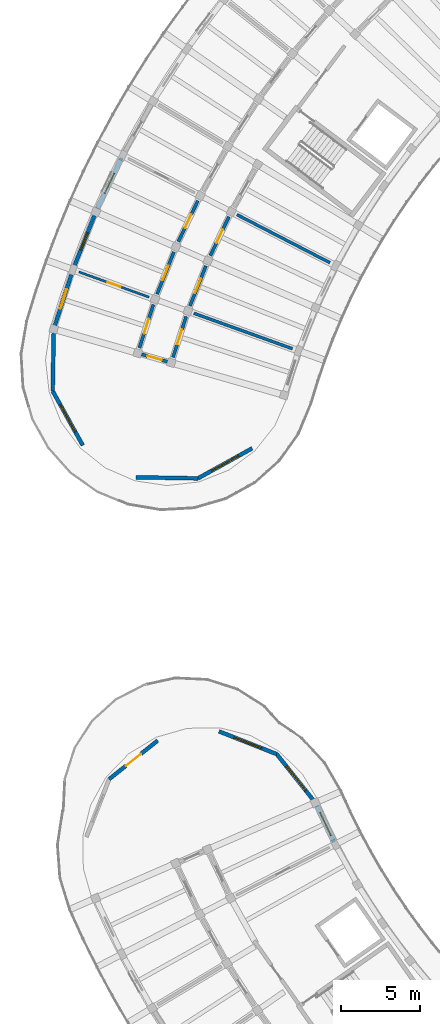
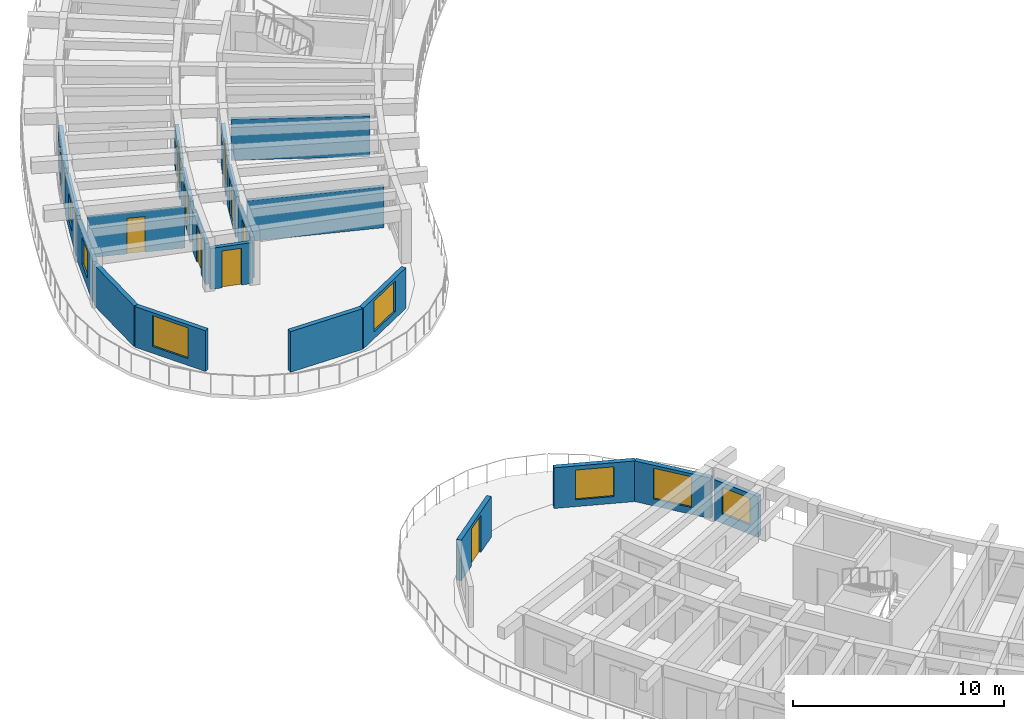
# One storey, part 25 of 56: 21 walls, 9 doors, 8 windows, 17 openings.
"""IFC4 building model written with IfcOpenShell, lengths in metres."""

from ifc_helpers import new_model, si_unit, direction, frame, frame_2d, origin, place, context, subcontext, project, spatial, rectangle, extrude, material, layer, layer_set, type_object, element, fill, save


model = new_model("IFC4")

# Units and contexts
model_context = context("Model", 3, precision=1e-05, world=origin(), true_north=direction((0.0, 1.0)))
body_context = subcontext(model_context, "Body", "Model", "MODEL_VIEW")
ifc_project = project(units=[si_unit("LENGTHUNIT", "METRE"), si_unit("AREAUNIT", "SQUARE_METRE"), si_unit("VOLUMEUNIT", "CUBIC_METRE"), si_unit("PLANEANGLEUNIT", "RADIAN"), si_unit("MASSUNIT", "GRAM", prefix="KILO")], contexts=[model_context])

# Site, building, storey
site_placement = place(None, origin())
site = spatial("IfcSite", under=ifc_project, at=site_placement, CompositionType="ELEMENT")
building_placement = place(site_placement, origin())
building = spatial("IfcBuilding", under=site, at=building_placement, Name="Tanwirah Colonnade Gardens", CompositionType="ELEMENT")
storey_placement = place(building_placement, frame((0.0, 0.0, 29.0)))
storey = spatial("IfcBuildingStorey", under=building, at=storey_placement, Name="L08", CompositionType="ELEMENT", Elevation=29.0)

# Wall, opening, window
ifc_material_1 = material(Name="Limestone architectural precast concrete C40/50", Category="masonry")
ifc_layer_1 = layer(ifc_material_1, 0.2451171875)
ifc_layer_set_1 = layer_set([ifc_layer_1], Name="Limestone architectural precast concrete C40/50")
wall_type_1 = type_object("IfcWallType", Name="EW-PC245", PredefinedType="SOLIDWALL", material=ifc_layer_set_1)
wall_1_placement = place(storey_placement, frame((12.02783203125, 87.394287109375, 0.0), z_axis=(0.0, 0.0, 1.0), x_axis=(-0.429641817045, -0.902999395928, 0.0)))
wall_1 = element("IfcWall", 1, at=wall_1_placement, inside=storey, type_object=wall_type_1, Name="Block A L08 OUT Precast Facade Wall 15", PredefinedType="SOLIDWALL", context=body_context, shape_type="SweptSolid", body=[
    extrude(rectangle(XDim=3.540771484375, YDim=0.2451171875, at=frame_2d((1.7705078125, 0.0))), origin(), (0.0, 0.0, 1.0), 2.35498046875),
])
opening_1_placement = place(wall_1_placement, frame((1.080322265625, 0.0, 0.550048828125)))
opening_1 = element("IfcOpeningElement", 2, at=opening_1_placement, cuts=wall_1, Name="Opening WIN-T18", PredefinedType="OPENING", context=body_context, shape_type="SweptSolid", body=[
    extrude(rectangle(XDim=1.3798828125, YDim=1.56005859375, at=frame_2d((0.68994140625, 0.780029296875))), frame((0.0, 0.132568359375, 0.0), z_axis=(0.0, -1.0, 0.0), x_axis=(1.0, 0.0, 0.0)), (0.0, 0.0, 1.0), 0.26513671875),
])
ifc_material_2 = material(Name="Thermally broken bronze aluminium and solar low-E double glazing", Category="aluminium")
window_type_1 = type_object("IfcWindowType", Name="WIN-T18", PartitioningType="DOUBLE_PANEL_VERTICAL", PredefinedType="WINDOW", material=ifc_material_2)
window_1_placement = place(opening_1_placement, origin())
window_1 = element("IfcWindow", 3, at=window_1_placement, inside=storey, type_object=window_type_1, Name="Facade window A-L08-OUT-15", OverallHeight=1.56005859375, OverallWidth=1.3798828125, PartitioningType="SINGLE_PANEL", PredefinedType="WINDOW", context=body_context, shape_type="SweptSolid", body=[
    extrude(rectangle(XDim=1.3798828125, YDim=1.56005859375, at=frame_2d((0.68994140625, 0.780029296875))), frame((0.0, 0.030029296875, 0.0), z_axis=(0.0, -1.0, 0.0), x_axis=(1.0, 0.0, 0.0)), (0.0, 0.0, 1.0), 0.06005859375),
])
fill(opening_1, window_1)

wall_2_placement = place(storey_placement, frame((10.330810546875, 83.7939453125, 0.0), z_axis=(0.0, 0.0, 1.0), x_axis=(-0.369178347818, -0.929358567778, 0.0)))
wall_2 = element("IfcWall", 4, at=wall_2_placement, inside=storey, type_object=wall_type_1, Name="Block A L08 OUT Precast Facade Wall 16", PredefinedType="SOLIDWALL", context=body_context, shape_type="SweptSolid", body=[
    extrude(rectangle(XDim=3.54052734375, YDim=0.2451171875, at=frame_2d((1.770263671875, 0.0))), origin(), (0.0, 0.0, 1.0), 2.35498046875),
])
opening_2_placement = place(wall_2_placement, frame((1.190185546875, 0.0, 0.550048828125)))
opening_2 = element("IfcOpeningElement", 5, at=opening_2_placement, cuts=wall_2, Name="Opening WIN-U01", PredefinedType="OPENING", context=body_context, shape_type="SweptSolid", body=[
    extrude(rectangle(XDim=1.159912109375, YDim=1.485107421875, at=frame_2d((0.580078125, 0.74267578125))), frame((0.0, 0.132568359375, 0.0), z_axis=(0.0, -1.0, 0.0), x_axis=(1.0, 0.0, 0.0)), (0.0, 0.0, 1.0), 0.26513671875),
])
window_type_2 = type_object("IfcWindowType", Name="WIN-U01", PartitioningType="DOUBLE_PANEL_VERTICAL", PredefinedType="WINDOW", material=ifc_material_2)
window_2_placement = place(opening_2_placement, origin())
window_2 = element("IfcWindow", 6, at=window_2_placement, inside=storey, type_object=window_type_2, Name="Facade window A-L08-OUT-16", OverallHeight=1.485107421875, OverallWidth=1.159912109375, PartitioningType="SINGLE_PANEL", PredefinedType="WINDOW", context=body_context, shape_type="SweptSolid", body=[
    extrude(rectangle(XDim=1.159912109375, YDim=1.485107421875, at=frame_2d((0.580078125, 0.74267578125))), frame((0.0, 0.030029296875, 0.0), z_axis=(0.0, -1.0, 0.0), x_axis=(1.0, 0.0, 0.0)), (0.0, 0.0, 1.0), 0.06005859375),
])
fill(opening_2, window_2)

wall_3_placement = place(storey_placement, frame((8.912109375, 80.193115234375, 0.0), z_axis=(0.0, 0.0, 1.0), x_axis=(-0.307174013684, -0.951653364055, 0.0)))
wall_3 = element("IfcWall", 7, at=wall_3_placement, inside=storey, type_object=wall_type_1, Name="Block A L08 OUT Precast Facade Wall 17", PredefinedType="SOLIDWALL", context=body_context, shape_type="SweptSolid", body=[
    extrude(rectangle(XDim=3.540771484375, YDim=0.2451171875, at=frame_2d((1.7705078125, 0.0))), origin(), (0.0, 0.0, 1.0), 2.35498046875),
])
opening_3_placement = place(wall_3_placement, frame((1.13037109375, 0.0, 0.550048828125)))
opening_3 = element("IfcOpeningElement", 8, at=opening_3_placement, cuts=wall_3, Name="Opening WIN-U04", PredefinedType="OPENING", context=body_context, shape_type="SweptSolid", body=[
    extrude(rectangle(XDim=1.280029296875, YDim=1.56005859375, at=frame_2d((0.64013671875, 0.780029296875))), frame((0.0, 0.132568359375, 0.0), z_axis=(0.0, -1.0, 0.0), x_axis=(1.0, 0.0, 0.0)), (0.0, 0.0, 1.0), 0.26513671875),
])
window_type_3 = type_object("IfcWindowType", Name="WIN-U04", PartitioningType="DOUBLE_PANEL_VERTICAL", PredefinedType="WINDOW", material=ifc_material_2)
window_3_placement = place(opening_3_placement, origin())
window_3 = element("IfcWindow", 9, at=window_3_placement, inside=storey, type_object=window_type_3, Name="Facade window A-L08-OUT-17", OverallHeight=1.56005859375, OverallWidth=1.280029296875, PartitioningType="SINGLE_PANEL", PredefinedType="WINDOW", context=body_context, shape_type="SweptSolid", body=[
    extrude(rectangle(XDim=1.280029296875, YDim=1.56005859375, at=frame_2d((0.64013671875, 0.780029296875))), frame((0.0, 0.030029296875, 0.0), z_axis=(0.0, -1.0, 0.0), x_axis=(1.0, 0.0, 0.0)), (0.0, 0.0, 1.0), 0.06005859375),
])
fill(opening_3, window_3)

wall_4_placement = place(storey_placement, frame((20.259033203125, 69.10205078125, 0.0), z_axis=(0.0, 0.0, 1.0), x_axis=(-0.874643043537, -0.484767517881, 0.0)))
wall_4 = element("IfcWall", 10, at=wall_4_placement, inside=storey, type_object=wall_type_1, Name="Block A L08 END Rounded End Wall 1", PredefinedType="SOLIDWALL", context=body_context, shape_type="SweptSolid", body=[
    extrude(rectangle(XDim=3.908203125, YDim=0.2451171875, at=frame_2d((1.9541015625, 0.0))), origin(), (0.0, 0.0, 1.0), 2.35498046875),
])
opening_4_placement = place(wall_4_placement, frame((0.97900390625, 0.0, 0.39990234375)))
opening_4 = element("IfcOpeningElement", 11, at=opening_4_placement, cuts=wall_4, Name="Opening WIN-END2", PredefinedType="OPENING", context=body_context, shape_type="SweptSolid", body=[
    extrude(rectangle(XDim=1.949951171875, YDim=1.780029296875, at=frame_2d((0.97509765625, 0.89013671875))), frame((0.0, 0.132568359375, 0.0), z_axis=(0.0, -1.0, 0.0), x_axis=(1.0, 0.0, 0.0)), (0.0, 0.0, 1.0), 0.26513671875),
])
window_type_4 = type_object("IfcWindowType", Name="WIN-END2", PartitioningType="TRIPLE_PANEL_VERTICAL", PredefinedType="WINDOW", material=ifc_material_2)
window_4_placement = place(opening_4_placement, origin())
window_4 = element("IfcWindow", 12, at=window_4_placement, inside=storey, type_object=window_type_4, Name="Rounded corner window A-L08-END-1", OverallHeight=1.780029296875, OverallWidth=1.949951171875, PartitioningType="SINGLE_PANEL", PredefinedType="WINDOW", context=body_context, shape_type="SweptSolid", body=[
    extrude(rectangle(XDim=1.949951171875, YDim=1.780029296875, at=frame_2d((0.97509765625, 0.89013671875))), frame((0.0, 0.030029296875, 0.0), z_axis=(0.0, -1.0, 0.0), x_axis=(1.0, 0.0, 0.0)), (0.0, 0.0, 1.0), 0.06005859375),
])
fill(opening_4, window_4)

# Wall
wall_5_placement = place(storey_placement, frame((16.8408203125, 67.20751953125, 0.0), z_axis=(0.0, 0.0, 1.0), x_axis=(-0.999848096392, 0.017429404492, 0.0)))
element("IfcWall", 13, at=wall_5_placement, inside=storey, type_object=wall_type_1, Name="Block A L08 END Rounded End Wall 2", PredefinedType="SOLIDWALL", context=body_context, shape_type="SweptSolid", body=[
    extrude(rectangle(XDim=3.907958984375, YDim=0.2451171875, at=frame_2d((1.9541015625, 0.0))), origin(), (0.0, 0.0, 1.0), 2.35498046875),
])

# Wall, opening, window
wall_6_placement = place(storey_placement, frame((9.58349609375, 69.28857421875, 0.0), z_axis=(0.0, 0.0, 1.0), x_axis=(-0.484841794757, 0.874601871743, 0.0)))
wall_6 = element("IfcWall", 14, at=wall_6_placement, inside=storey, type_object=wall_type_1, Name="Block A L08 END Rounded End Wall 4", PredefinedType="SOLIDWALL", context=body_context, shape_type="SweptSolid", body=[
    extrude(rectangle(XDim=3.907958984375, YDim=0.2451171875, at=frame_2d((1.9541015625, 0.0))), origin(), (0.0, 0.0, 1.0), 2.35498046875),
])
opening_5_placement = place(wall_6_placement, frame((0.97900390625, 0.0, 0.39990234375)))
opening_5 = element("IfcOpeningElement", 15, at=opening_5_placement, cuts=wall_6, Name="Opening WIN-END2", PredefinedType="OPENING", context=body_context, shape_type="SweptSolid", body=[
    extrude(rectangle(XDim=1.949951171875, YDim=1.780029296875, at=frame_2d((0.97509765625, 0.89013671875))), frame((0.0, 0.132568359375, 0.0), z_axis=(0.0, -1.0, 0.0), x_axis=(1.0, 0.0, 0.0)), (0.0, 0.0, 1.0), 0.26513671875),
])
window_5_placement = place(opening_5_placement, origin())
window_5 = element("IfcWindow", 16, at=window_5_placement, inside=storey, type_object=window_type_4, Name="Rounded corner window A-L08-END-4", OverallHeight=1.780029296875, OverallWidth=1.949951171875, PartitioningType="SINGLE_PANEL", PredefinedType="WINDOW", context=body_context, shape_type="SweptSolid", body=[
    extrude(rectangle(XDim=1.949951171875, YDim=1.780029296875, at=frame_2d((0.97509765625, 0.89013671875))), frame((0.0, 0.030029296875, 0.0), z_axis=(0.0, -1.0, 0.0), x_axis=(1.0, 0.0, 0.0)), (0.0, 0.0, 1.0), 0.06005859375),
])
fill(opening_5, window_5)

# Wall
wall_7_placement = place(storey_placement, frame((7.688720703125, 72.70654296875, 0.0), z_axis=(0.0, 0.0, 1.0), x_axis=(0.017428315893, 0.999848115368, 0.0)))
element("IfcWall", 17, at=wall_7_placement, inside=storey, type_object=wall_type_1, Name="Block A L08 END Rounded End Wall 5", PredefinedType="SOLIDWALL", context=body_context, shape_type="SweptSolid", body=[
    extrude(rectangle(XDim=3.908203125, YDim=0.2451171875, at=frame_2d((1.9541015625, 0.0))), origin(), (0.0, 0.0, 1.0), 2.35498046875),
])

# Wall, opening, window
wall_8_placement = place(storey_placement, frame((24.3330078125, 46.572265625, 0.0), z_axis=(0.0, 0.0, 1.0), x_axis=(0.428623769132, -0.90348307374, 0.0)))
wall_8 = element("IfcWall", 18, at=wall_8_placement, inside=storey, type_object=wall_type_1, Name="Block C L08 IN Precast Facade Wall 2", PredefinedType="SOLIDWALL", context=body_context, shape_type="SweptSolid", body=[
    extrude(rectangle(XDim=2.518798828125, YDim=0.2451171875, at=frame_2d((1.25927734375, 0.0))), origin(), (0.0, 0.0, 1.0), 2.35498046875),
])
opening_6_placement = place(wall_8_placement, frame((0.45947265625, 0.0, 0.550048828125)))
opening_6 = element("IfcOpeningElement", 19, at=opening_6_placement, cuts=wall_8, Name="Opening WIN-U12", PredefinedType="OPENING", context=body_context, shape_type="SweptSolid", body=[
    extrude(rectangle(XDim=1.60009765625, YDim=1.534912109375, at=frame_2d((0.800048828125, 0.767578125))), frame((0.0, 0.132568359375, 0.0), z_axis=(0.0, -1.0, 0.0), x_axis=(1.0, 0.0, 0.0)), (0.0, 0.0, 1.0), 0.26513671875),
])
window_type_5 = type_object("IfcWindowType", Name="WIN-U12", PartitioningType="DOUBLE_PANEL_VERTICAL", PredefinedType="WINDOW", material=ifc_material_2)
window_6_placement = place(opening_6_placement, origin())
window_6 = element("IfcWindow", 20, at=window_6_placement, inside=storey, type_object=window_type_5, Name="Facade window C-L08-IN-02", OverallHeight=1.534912109375, OverallWidth=1.60009765625, PartitioningType="SINGLE_PANEL", PredefinedType="WINDOW", context=body_context, shape_type="SweptSolid", body=[
    extrude(rectangle(XDim=1.60009765625, YDim=1.534912109375, at=frame_2d((0.800048828125, 0.767578125))), frame((0.0, 0.030029296875, 0.0), z_axis=(0.0, -1.0, 0.0), x_axis=(1.0, 0.0, 0.0)), (0.0, 0.0, 1.0), 0.06005859375),
])
fill(opening_6, window_6)

# Wall, opening, door
wall_9_placement = place(storey_placement, frame((11.24365234375, 48.255859375, 0.0), z_axis=(0.0, 0.0, 1.0), x_axis=(0.782584454044, 0.622544433988, 0.0)))
wall_9 = element("IfcWall", 21, at=wall_9_placement, inside=storey, type_object=wall_type_1, Name="Block C L08 START Rounded End Wall 2", PredefinedType="SOLIDWALL", context=body_context, shape_type="SweptSolid", body=[
    extrude(rectangle(XDim=3.908203125, YDim=0.2451171875, at=frame_2d((1.9541015625, 0.0))), origin(), (0.0, 0.0, 1.0), 2.35498046875),
])
opening_7_placement = place(wall_9_placement, frame((1.35400390625, 0.0, 0.0)))
opening_7 = element("IfcOpeningElement", 22, at=opening_7_placement, cuts=wall_9, Name="Opening L08-ED166", PredefinedType="OPENING", context=body_context, shape_type="SweptSolid", body=[
    extrude(rectangle(XDim=1.199951171875, YDim=2.14990234375, at=frame_2d((0.60009765625, 1.074951171875))), frame((0.0, 0.132568359375, 0.0), z_axis=(0.0, -1.0, 0.0), x_axis=(1.0, 0.0, 0.0)), (0.0, 0.0, 1.0), 0.26513671875),
])
ifc_material_3 = material(Name="Bronze aluminium glazed terrace door", Category="aluminium")
door_type_1 = type_object("IfcDoorType", Name="ED-TER120", OperationType="NOTDEFINED", PredefinedType="DOOR", material=ifc_material_3)
door_1_placement = place(opening_7_placement, origin())
door_1 = element("IfcDoor", 23, at=door_1_placement, inside=storey, type_object=door_type_1, Name="Stepped corner terrace door L08-ED166", OperationType="SINGLE_SWING_RIGHT", OverallHeight=2.14990234375, OverallWidth=1.199951171875, PredefinedType="DOOR", context=body_context, shape_type="SweptSolid", body=[
    extrude(rectangle(XDim=1.199951171875, YDim=2.14990234375, at=frame_2d((0.60009765625, 1.074951171875))), frame((0.0, 0.02490234375, 0.0), z_axis=(0.0, -1.0, 0.0), x_axis=(1.0, 0.0, 0.0)), (0.0, 0.0, 1.0), 0.050048828125),
])
fill(opening_7, door_1)

# Wall, opening, window
wall_10_placement = place(storey_placement, frame((18.16748046875, 51.2666015625, 0.0), z_axis=(0.0, 0.0, 1.0), x_axis=(0.930415493666, -0.366506492637, 0.0)))
wall_10 = element("IfcWall", 24, at=wall_10_placement, inside=storey, type_object=wall_type_1, Name="Block C L08 START Rounded End Wall 4", PredefinedType="SOLIDWALL", context=body_context, shape_type="SweptSolid", body=[
    extrude(rectangle(XDim=3.908203125, YDim=0.2451171875, at=frame_2d((1.9541015625, 0.0))), origin(), (0.0, 0.0, 1.0), 2.35498046875),
])
opening_8_placement = place(wall_10_placement, frame((1.029052734375, 0.0, 0.39990234375)))
opening_8 = element("IfcOpeningElement", 25, at=opening_8_placement, cuts=wall_10, Name="Opening WIN-END1", PredefinedType="OPENING", context=body_context, shape_type="SweptSolid", body=[
    extrude(rectangle(XDim=1.85009765625, YDim=1.719970703125, at=frame_2d((0.925048828125, 0.85986328125))), frame((0.0, 0.132568359375, 0.0), z_axis=(0.0, -1.0, 0.0), x_axis=(1.0, 0.0, 0.0)), (0.0, 0.0, 1.0), 0.26513671875),
])
window_type_6 = type_object("IfcWindowType", Name="WIN-END1", PartitioningType="TRIPLE_PANEL_VERTICAL", PredefinedType="WINDOW", material=ifc_material_2)
window_7_placement = place(opening_8_placement, origin())
window_7 = element("IfcWindow", 26, at=window_7_placement, inside=storey, type_object=window_type_6, Name="Rounded corner window C-L08-START-4", OverallHeight=1.719970703125, OverallWidth=1.85009765625, PartitioningType="SINGLE_PANEL", PredefinedType="WINDOW", context=body_context, shape_type="SweptSolid", body=[
    extrude(rectangle(XDim=1.85009765625, YDim=1.719970703125, at=frame_2d((0.925048828125, 0.85986328125))), frame((0.0, 0.030029296875, 0.0), z_axis=(0.0, -1.0, 0.0), x_axis=(1.0, 0.0, 0.0)), (0.0, 0.0, 1.0), 0.06005859375),
])
fill(opening_8, window_7)

wall_11_placement = place(storey_placement, frame((21.8037109375, 49.834228515625, 0.0), z_axis=(0.0, 0.0, 1.0), x_axis=(0.622506174669, -0.782614887732, 0.0)))
wall_11 = element("IfcWall", 27, at=wall_11_placement, inside=storey, type_object=wall_type_1, Name="Block C L08 START Rounded End Wall 5", PredefinedType="SOLIDWALL", context=body_context, shape_type="SweptSolid", body=[
    extrude(rectangle(XDim=3.908203125, YDim=0.2451171875, at=frame_2d((1.9541015625, 0.0))), origin(), (0.0, 0.0, 1.0), 2.35498046875),
])
opening_9_placement = place(wall_11_placement, frame((0.97900390625, 0.0, 0.39990234375)))
opening_9 = element("IfcOpeningElement", 28, at=opening_9_placement, cuts=wall_11, Name="Opening WIN-END2", PredefinedType="OPENING", context=body_context, shape_type="SweptSolid", body=[
    extrude(rectangle(XDim=1.949951171875, YDim=1.780029296875, at=frame_2d((0.97509765625, 0.89013671875))), frame((0.0, 0.132568359375, 0.0), z_axis=(0.0, -1.0, 0.0), x_axis=(1.0, 0.0, 0.0)), (0.0, 0.0, 1.0), 0.26513671875),
])
window_8_placement = place(opening_9_placement, origin())
window_8 = element("IfcWindow", 29, at=window_8_placement, inside=storey, type_object=window_type_4, Name="Rounded corner window C-L08-START-5", OverallHeight=1.780029296875, OverallWidth=1.949951171875, PartitioningType="SINGLE_PANEL", PredefinedType="WINDOW", context=body_context, shape_type="SweptSolid", body=[
    extrude(rectangle(XDim=1.949951171875, YDim=1.780029296875, at=frame_2d((0.97509765625, 0.89013671875))), frame((0.0, 0.030029296875, 0.0), z_axis=(0.0, -1.0, 0.0), x_axis=(1.0, 0.0, 0.0)), (0.0, 0.0, 1.0), 0.06005859375),
])
fill(opening_9, window_8)

# Wall, opening, door
ifc_material_4 = material(Name="Precast concrete C40/50", Category="concrete")
ifc_layer_2 = layer(ifc_material_4, 0.205078125)
ifc_layer_set_2 = layer_set([ifc_layer_2], Name="Precast concrete C40/50")
wall_type_2 = type_object("IfcWallType", Name="IW-CORR205", PredefinedType="PARTITIONING", material=ifc_layer_set_2)
wall_12_placement = place(storey_placement, frame((16.834228515625, 84.701904296875, 0.0), z_axis=(0.0, 0.0, 1.0), x_axis=(-0.429595933416, -0.90302122566, 0.0)))
wall_12 = element("IfcWall", 30, at=wall_12_placement, inside=storey, type_object=wall_type_2, Name="Block A L08 OUT Corridor Wall 15", PredefinedType="PARTITIONING", context=body_context, shape_type="SweptSolid", body=[
    extrude(rectangle(XDim=2.863037109375, YDim=0.205078125, at=frame_2d((1.431640625, 0.0))), origin(), (0.0, 0.0, 1.0), 2.3701171875),
])
opening_10_placement = place(wall_12_placement, frame((0.966552734375, 0.0, 0.0)))
opening_10 = element("IfcOpeningElement", 31, at=opening_10_placement, cuts=wall_12, Name="Opening L08-AD589", PredefinedType="OPENING", context=body_context, shape_type="SweptSolid", body=[
    extrude(rectangle(XDim=0.929931640625, YDim=2.1201171875, at=frame_2d((0.46484375, 1.06005859375))), frame((0.0, 0.112548828125, 0.0), z_axis=(0.0, -1.0, 0.0), x_axis=(1.0, 0.0, 0.0)), (0.0, 0.0, 1.0), 0.22509765625),
])
ifc_material_5 = material(Name="Solid oak fire-resisting apartment entrance door")
door_type_2 = type_object("IfcDoorType", Name="ID-FLT093", OperationType="NOTDEFINED", PredefinedType="DOOR", material=ifc_material_5)
door_2_placement = place(opening_10_placement, origin())
door_2 = element("IfcDoor", 32, at=door_2_placement, inside=storey, type_object=door_type_2, Name="Apartment corridor door L08-AD589", OperationType="SINGLE_SWING_RIGHT", OverallHeight=2.1201171875, OverallWidth=0.929931640625, PredefinedType="DOOR", context=body_context, shape_type="SweptSolid", body=[
    extrude(rectangle(XDim=0.929931640625, YDim=2.1201171875, at=frame_2d((0.46484375, 1.06005859375))), frame((0.0, 0.02490234375, 0.0), z_axis=(0.0, -1.0, 0.0), x_axis=(1.0, 0.0, 0.0)), (0.0, 0.0, 1.0), 0.050048828125),
])
fill(opening_10, door_2)

wall_13_placement = place(storey_placement, frame((18.78857421875, 83.691650390625, 0.0), z_axis=(0.0, 0.0, 1.0), x_axis=(-0.429630211913, -0.90300491749, 0.0)))
wall_13 = element("IfcWall", 33, at=wall_13_placement, inside=storey, type_object=wall_type_2, Name="Block A L08 IN Corridor Wall 15", PredefinedType="PARTITIONING", context=body_context, shape_type="SweptSolid", body=[
    extrude(rectangle(XDim=2.718017578125, YDim=0.205078125, at=frame_2d((1.35888671875, 0.0))), origin(), (0.0, 0.0, 1.0), 2.3701171875),
])
opening_11_placement = place(wall_13_placement, frame((0.89404296875, 0.0, 0.0)))
opening_11 = element("IfcOpeningElement", 34, at=opening_11_placement, cuts=wall_13, Name="Opening L08-AD590", PredefinedType="OPENING", context=body_context, shape_type="SweptSolid", body=[
    extrude(rectangle(XDim=0.929931640625, YDim=2.1201171875, at=frame_2d((0.46484375, 1.06005859375))), frame((0.0, 0.112548828125, 0.0), z_axis=(0.0, -1.0, 0.0), x_axis=(1.0, 0.0, 0.0)), (0.0, 0.0, 1.0), 0.22509765625),
])
door_3_placement = place(opening_11_placement, origin())
door_3 = element("IfcDoor", 35, at=door_3_placement, inside=storey, type_object=door_type_2, Name="Apartment corridor door L08-AD590", OperationType="SINGLE_SWING_LEFT", OverallHeight=2.1201171875, OverallWidth=0.929931640625, PredefinedType="DOOR", context=body_context, shape_type="SweptSolid", body=[
    extrude(rectangle(XDim=0.929931640625, YDim=2.1201171875, at=frame_2d((0.46484375, 1.06005859375))), frame((0.0, 0.02490234375, 0.0), z_axis=(0.0, -1.0, 0.0), x_axis=(1.0, 0.0, 0.0)), (0.0, 0.0, 1.0), 0.050048828125),
])
fill(opening_11, door_3)

wall_14_placement = place(storey_placement, frame((15.32470703125, 81.47509765625, 0.0), z_axis=(0.0, 0.0, 1.0), x_axis=(-0.369213832442, -0.929344471083, 0.0)))
wall_14 = element("IfcWall", 36, at=wall_14_placement, inside=storey, type_object=wall_type_2, Name="Block A L08 OUT Corridor Wall 16", PredefinedType="PARTITIONING", context=body_context, shape_type="SweptSolid", body=[
    extrude(rectangle(XDim=2.86328125, YDim=0.205078125, at=frame_2d((1.431640625, 0.0))), origin(), (0.0, 0.0, 1.0), 2.3701171875),
])
opening_12_placement = place(wall_14_placement, frame((0.9365234375, 0.0, 0.0)))
opening_12 = element("IfcOpeningElement", 37, at=opening_12_placement, cuts=wall_14, Name="Opening L08-AD591", PredefinedType="OPENING", context=body_context, shape_type="SweptSolid", body=[
    extrude(rectangle(XDim=0.989990234375, YDim=2.159912109375, at=frame_2d((0.4951171875, 1.080078125))), frame((0.0, 0.112548828125, 0.0), z_axis=(0.0, -1.0, 0.0), x_axis=(1.0, 0.0, 0.0)), (0.0, 0.0, 1.0), 0.22509765625),
])
door_type_3 = type_object("IfcDoorType", Name="ID-FLT099", OperationType="NOTDEFINED", PredefinedType="DOOR", material=ifc_material_5)
door_4_placement = place(opening_12_placement, origin())
door_4 = element("IfcDoor", 38, at=door_4_placement, inside=storey, type_object=door_type_3, Name="Apartment corridor door L08-AD591", OperationType="SINGLE_SWING_LEFT", OverallHeight=2.159912109375, OverallWidth=0.989990234375, PredefinedType="DOOR", context=body_context, shape_type="SweptSolid", body=[
    extrude(rectangle(XDim=0.989990234375, YDim=2.159912109375, at=frame_2d((0.4951171875, 1.080078125))), frame((0.0, 0.02490234375, 0.0), z_axis=(0.0, -1.0, 0.0), x_axis=(1.0, 0.0, 0.0)), (0.0, 0.0, 1.0), 0.050048828125),
])
fill(opening_12, door_4)

wall_15_placement = place(storey_placement, frame((17.34130859375, 80.595947265625, 0.0), z_axis=(0.0, 0.0, 1.0), x_axis=(-0.369237170461, -0.929335198919, 0.0)))
wall_15 = element("IfcWall", 39, at=wall_15_placement, inside=storey, type_object=wall_type_2, Name="Block A L08 IN Corridor Wall 16", PredefinedType="PARTITIONING", context=body_context, shape_type="SweptSolid", body=[
    extrude(rectangle(XDim=2.71826171875, YDim=0.205078125, at=frame_2d((1.359130859375, 0.0))), origin(), (0.0, 0.0, 1.0), 2.3701171875),
])
opening_13_placement = place(wall_15_placement, frame((0.864013671875, 0.0, 0.0)))
opening_13 = element("IfcOpeningElement", 40, at=opening_13_placement, cuts=wall_15, Name="Opening L08-AD592", PredefinedType="OPENING", context=body_context, shape_type="SweptSolid", body=[
    extrude(rectangle(XDim=0.989990234375, YDim=2.159912109375, at=frame_2d((0.4951171875, 1.080078125))), frame((0.0, 0.112548828125, 0.0), z_axis=(0.0, -1.0, 0.0), x_axis=(1.0, 0.0, 0.0)), (0.0, 0.0, 1.0), 0.22509765625),
])
door_5_placement = place(opening_13_placement, origin())
door_5 = element("IfcDoor", 41, at=door_5_placement, inside=storey, type_object=door_type_3, Name="Apartment corridor door L08-AD592", OperationType="SINGLE_SWING_RIGHT", OverallHeight=2.159912109375, OverallWidth=0.989990234375, PredefinedType="DOOR", context=body_context, shape_type="SweptSolid", body=[
    extrude(rectangle(XDim=0.989990234375, YDim=2.159912109375, at=frame_2d((0.4951171875, 1.080078125))), frame((0.0, 0.02490234375, 0.0), z_axis=(0.0, -1.0, 0.0), x_axis=(1.0, 0.0, 0.0)), (0.0, 0.0, 1.0), 0.050048828125),
])
fill(opening_13, door_5)

wall_16_placement = place(storey_placement, frame((14.03076171875, 78.156005859375, 0.0), z_axis=(0.0, 0.0, 1.0), x_axis=(-0.307132325305, -0.951666819193, 0.0)))
wall_16 = element("IfcWall", 42, at=wall_16_placement, inside=storey, type_object=wall_type_2, Name="Block A L08 OUT Corridor Wall 17", PredefinedType="PARTITIONING", context=body_context, shape_type="SweptSolid", body=[
    extrude(rectangle(XDim=2.86328125, YDim=0.205078125, at=frame_2d((1.431640625, 0.0))), origin(), (0.0, 0.0, 1.0), 2.3701171875),
])
opening_14_placement = place(wall_16_placement, frame((0.946533203125, 0.0, 0.0)))
opening_14 = element("IfcOpeningElement", 43, at=opening_14_placement, cuts=wall_16, Name="Opening L08-AD594", PredefinedType="OPENING", context=body_context, shape_type="SweptSolid", body=[
    extrude(rectangle(XDim=0.969970703125, YDim=2.14990234375, at=frame_2d((0.48486328125, 1.074951171875))), frame((0.0, 0.112548828125, 0.0), z_axis=(0.0, -1.0, 0.0), x_axis=(1.0, 0.0, 0.0)), (0.0, 0.0, 1.0), 0.22509765625),
])
door_type_4 = type_object("IfcDoorType", Name="ID-FLT097", OperationType="NOTDEFINED", PredefinedType="DOOR", material=ifc_material_5)
door_6_placement = place(opening_14_placement, origin())
door_6 = element("IfcDoor", 44, at=door_6_placement, inside=storey, type_object=door_type_4, Name="Apartment corridor door L08-AD594", OperationType="SINGLE_SWING_RIGHT", OverallHeight=2.14990234375, OverallWidth=0.969970703125, PredefinedType="DOOR", context=body_context, shape_type="SweptSolid", body=[
    extrude(rectangle(XDim=0.969970703125, YDim=2.14990234375, at=frame_2d((0.48486328125, 1.074951171875))), frame((0.0, 0.02490234375, 0.0), z_axis=(0.0, -1.0, 0.0), x_axis=(1.0, 0.0, 0.0)), (0.0, 0.0, 1.0), 0.050048828125),
])
fill(opening_14, door_6)

wall_17_placement = place(storey_placement, frame((16.10107421875, 77.41162109375, 0.0), z_axis=(0.0, 0.0, 1.0), x_axis=(-0.307186478934, -0.95164934044, 0.0)))
wall_17 = element("IfcWall", 45, at=wall_17_placement, inside=storey, type_object=wall_type_2, Name="Block A L08 IN Corridor Wall 17", PredefinedType="PARTITIONING", context=body_context, shape_type="SweptSolid", body=[
    extrude(rectangle(XDim=2.718017578125, YDim=0.205078125, at=frame_2d((1.35888671875, 0.0))), origin(), (0.0, 0.0, 1.0), 2.3701171875),
])
opening_15_placement = place(wall_17_placement, frame((0.8740234375, 0.0, 0.0)))
opening_15 = element("IfcOpeningElement", 46, at=opening_15_placement, cuts=wall_17, Name="Opening L08-AD595", PredefinedType="OPENING", context=body_context, shape_type="SweptSolid", body=[
    extrude(rectangle(XDim=0.969970703125, YDim=2.14990234375, at=frame_2d((0.48486328125, 1.074951171875))), frame((0.0, 0.112548828125, 0.0), z_axis=(0.0, -1.0, 0.0), x_axis=(1.0, 0.0, 0.0)), (0.0, 0.0, 1.0), 0.22509765625),
])
door_7_placement = place(opening_15_placement, origin())
door_7 = element("IfcDoor", 47, at=door_7_placement, inside=storey, type_object=door_type_4, Name="Apartment corridor door L08-AD595", OperationType="SINGLE_SWING_LEFT", OverallHeight=2.14990234375, OverallWidth=0.969970703125, PredefinedType="DOOR", context=body_context, shape_type="SweptSolid", body=[
    extrude(rectangle(XDim=0.969970703125, YDim=2.14990234375, at=frame_2d((0.48486328125, 1.074951171875))), frame((0.0, 0.02490234375, 0.0), z_axis=(0.0, -1.0, 0.0), x_axis=(1.0, 0.0, 0.0)), (0.0, 0.0, 1.0), 0.050048828125),
])
fill(opening_15, door_7)

wall_18_placement = place(storey_placement, frame((15.110595703125, 74.505615234375, 0.0), z_axis=(0.0, 0.0, 1.0), x_axis=(-0.961264701934, 0.275626872449, 0.0)))
wall_18 = element("IfcWall", 48, at=wall_18_placement, inside=storey, type_object=wall_type_2, Name="Block A L08 CE Corner Suite Corridor Wall", PredefinedType="PARTITIONING", context=body_context, shape_type="SweptSolid", body=[
    extrude(rectangle(XDim=2.10009765625, YDim=0.205078125, at=frame_2d((1.050048828125, 0.0))), origin(), (0.0, 0.0, 1.0), 2.3701171875),
])
opening_16_placement = place(wall_18_placement, frame((0.570068359375, 0.0, 0.0)))
opening_16 = element("IfcOpeningElement", 49, at=opening_16_placement, cuts=wall_18, Name="Opening L08-CD597", PredefinedType="OPENING", context=body_context, shape_type="SweptSolid", body=[
    extrude(rectangle(XDim=0.949951171875, YDim=2.1298828125, at=frame_2d((0.47509765625, 1.06494140625))), frame((0.0, 0.112548828125, 0.0), z_axis=(0.0, -1.0, 0.0), x_axis=(1.0, 0.0, 0.0)), (0.0, 0.0, 1.0), 0.22509765625),
])
door_type_5 = type_object("IfcDoorType", Name="ID-FLT095", OperationType="NOTDEFINED", PredefinedType="DOOR", material=ifc_material_5)
door_8_placement = place(opening_16_placement, origin())
door_8 = element("IfcDoor", 50, at=door_8_placement, inside=storey, type_object=door_type_5, Name="Corner suite entrance door L08-CD597", OperationType="SINGLE_SWING_RIGHT", OverallHeight=2.1298828125, OverallWidth=0.949951171875, PredefinedType="DOOR", context=body_context, shape_type="SweptSolid", body=[
    extrude(rectangle(XDim=0.949951171875, YDim=2.1298828125, at=frame_2d((0.47509765625, 1.06494140625))), frame((0.0, 0.02490234375, 0.0), z_axis=(0.0, -1.0, 0.0), x_axis=(1.0, 0.0, 0.0)), (0.0, 0.0, 1.0), 0.050048828125),
])
fill(opening_16, door_8)

# Walls
ifc_layer_3 = layer(ifc_material_4, 0.18505859375)
ifc_layer_set_3 = layer_set([ifc_layer_3], Name="Precast concrete C40/50")
wall_type_3 = type_object("IfcWallType", Name="IW-DEM185", PredefinedType="PARTITIONING", material=ifc_layer_set_3)
wall_19_placement = place(storey_placement, frame((25.157470703125, 80.793701171875, 0.0), z_axis=(0.0, 0.0, 1.0), x_axis=(-0.888346696024, 0.459173330741, 0.0)))
element("IfcWall", 51, at=wall_19_placement, inside=storey, type_object=wall_type_3, Name="Block A L08 Inner Radial Partition 14", PredefinedType="PARTITIONING", context=body_context, shape_type="SweptSolid", body=[
    extrude(rectangle(XDim=6.599853515625, YDim=0.18505859375, at=frame_2d((3.2998046875, 0.0))), origin(), (0.0, 0.0, 1.0), 2.3701171875),
])
wall_20_placement = place(storey_placement, frame((22.795654296875, 75.3759765625, 0.0), z_axis=(0.0, 0.0, 1.0), x_axis=(-0.941005714099, 0.338390670725, 0.0)))
element("IfcWall", 52, at=wall_20_placement, inside=storey, type_object=wall_type_3, Name="Block A L08 Inner Radial Partition 16", PredefinedType="PARTITIONING", context=body_context, shape_type="SweptSolid", body=[
    extrude(rectangle(XDim=6.60009765625, YDim=0.18505859375, at=frame_2d((3.300048828125, 0.0))), origin(), (0.0, 0.0, 1.0), 2.3701171875),
])

# Wall, opening, door
ifc_material_6 = material(Name="Water-resistant acoustic plumbing partition")
ifc_layer_4 = layer(ifc_material_6, 0.139892578125)
ifc_layer_set_4 = layer_set([ifc_layer_4], Name="Water-resistant acoustic plumbing partition")
wall_type_4 = type_object("IfcWallType", Name="IW-WET140", PredefinedType="PLUMBINGWALL", material=ifc_layer_set_4)
wall_21_placement = place(storey_placement, frame((13.761962890625, 78.62451171875, 0.0), z_axis=(0.0, 0.0, 1.0), x_axis=(-0.941015806044, 0.338362605463, 0.0)))
wall_21 = element("IfcWall", 53, at=wall_21_placement, inside=storey, type_object=wall_type_4, Name="Block A L08 Radial Partition 16", PredefinedType="PLUMBINGWALL", context=body_context, shape_type="SweptSolid", body=[
    extrude(rectangle(XDim=4.7001953125, YDim=0.139892578125, at=frame_2d((2.35009765625, 0.0))), origin(), (0.0, 0.0, 1.0), 2.3701171875),
])
opening_17_placement = place(wall_21_placement, frame((1.919921875, 0.0, 0.0)))
opening_17 = element("IfcOpeningElement", 54, at=opening_17_placement, cuts=wall_21, Name="Opening L08-RD593", PredefinedType="OPENING", context=body_context, shape_type="SweptSolid", body=[
    extrude(rectangle(XDim=0.860107421875, YDim=2.06005859375, at=frame_2d((0.43017578125, 1.030029296875))), frame((0.0, 0.079833984375, 0.0), z_axis=(0.0, -1.0, 0.0), x_axis=(1.0, 0.0, 0.0)), (0.0, 0.0, 1.0), 0.159912109375),
])
ifc_material_7 = material(Name="Moisture-resistant bathroom door")
door_type_6 = type_object("IfcDoorType", Name="ID-WET086", OperationType="NOTDEFINED", PredefinedType="DOOR", material=ifc_material_7)
door_9_placement = place(opening_17_placement, origin())
door_9 = element("IfcDoor", 55, at=door_9_placement, inside=storey, type_object=door_type_6, Name="Internal apartment door L08-RD593", OperationType="SINGLE_SWING_LEFT", OverallHeight=2.06005859375, OverallWidth=0.860107421875, PredefinedType="DOOR", context=body_context, shape_type="SweptSolid", body=[
    extrude(rectangle(XDim=0.860107421875, YDim=2.06005859375, at=frame_2d((0.43017578125, 1.030029296875))), frame((0.0, 0.02490234375, 0.0), z_axis=(0.0, -1.0, 0.0), x_axis=(1.0, 0.0, 0.0)), (0.0, 0.0, 1.0), 0.050048828125),
])
fill(opening_17, door_9)

save(model, "model.ifc")
